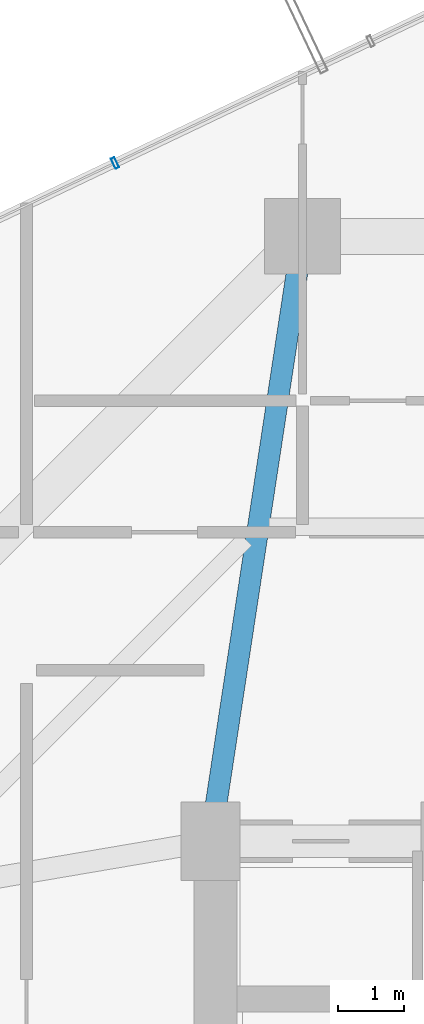
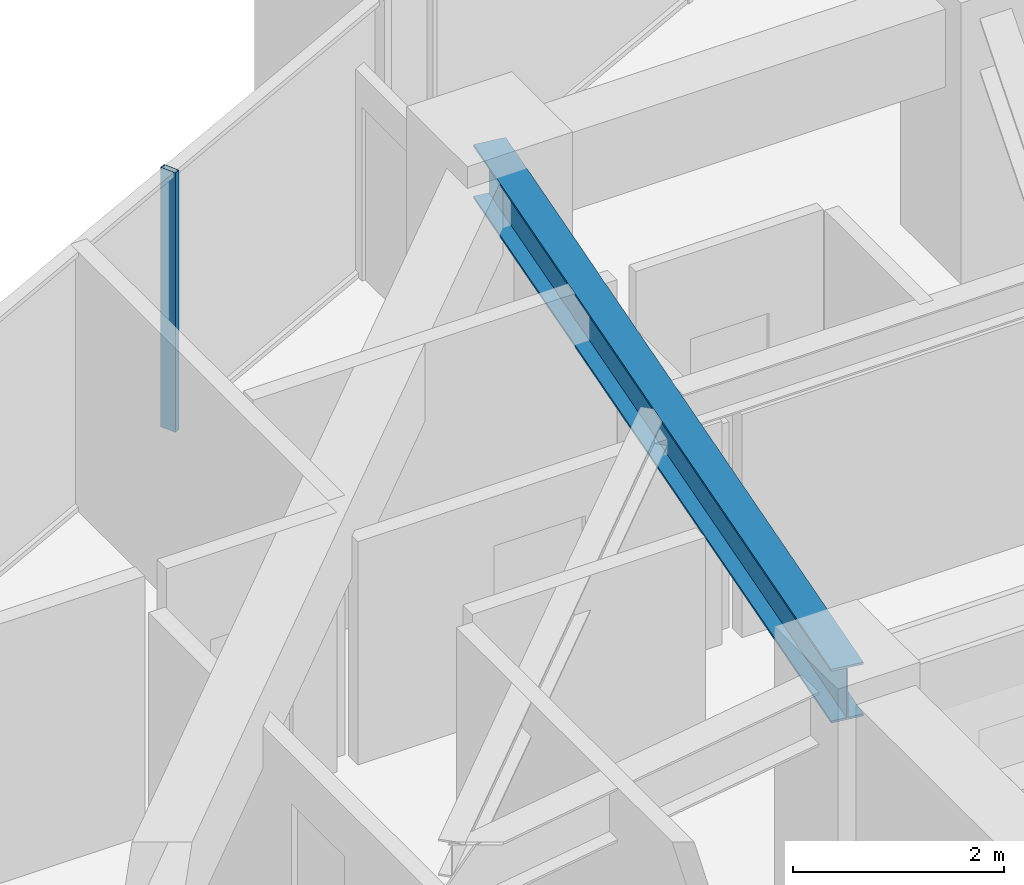
# One storey, part 17 of 30: 1 beam, 1 member, 1 element without a shape of its own.
"""IFC4 building model written with IfcOpenShell, lengths in metres."""

from ifc_helpers import new_model, si_unit, direction, frame, origin, origin_2d, place, context, subcontext, project, spatial, hollow_rectangle, i_section, extrude, source, transform, mapped, material, layer, layer_set, material_profile, profile_set, type_object, element, aggregate, save


model = new_model("IFC4")

# Units and contexts
model_context = context("Model", 3, precision=1e-05, world=origin(), true_north=direction((0.0, 1.0)))
body_context = subcontext(model_context, "Body", "Model", "MODEL_VIEW")
ifc_project = project(units=[si_unit("LENGTHUNIT", "METRE"), si_unit("AREAUNIT", "SQUARE_METRE"), si_unit("VOLUMEUNIT", "CUBIC_METRE"), si_unit("PLANEANGLEUNIT", "RADIAN"), si_unit("MASSUNIT", "GRAM", prefix="KILO")], contexts=[model_context])

# Site, building, storey
site_placement = place(None, origin())
site = spatial("IfcSite", under=ifc_project, at=site_placement, CompositionType="ELEMENT")
building_placement = place(site_placement, origin())
building = spatial("IfcBuilding", under=site, at=building_placement, Name="Veraguas Prism Commons", CompositionType="ELEMENT")
storey_placement = place(building_placement, frame((0.0, 0.0, 113.25)))
storey = spatial("IfcBuildingStorey", under=building, at=storey_placement, Name="L31", CompositionType="ELEMENT", Elevation=113.25)

# Beam
ifc_material_1 = material(Name="Steel ASTM A992 Grade 50", Category="steel")
ifc_material_profile_1 = material_profile(ifc_material_1, i_section(OverallWidth=0.327880859375, OverallDepth=0.6220703125, WebThickness=0.015380859375, FlangeThickness=0.0244140625, at=origin_2d()), Name="W610X195")
ifc_profile_set_1 = profile_set([ifc_material_profile_1], Name="Steel ASTM A992 Grade 50")
beam_type = type_object("IfcBeamType", Name="Zone 2 Radial Girder W610x195", PredefinedType="BEAM", material=ifc_profile_set_1)
beam_placement = place(storey_placement, frame((18.60009765625, 40.199951171875, 2.68896484375), z_axis=(-0.150458162136, -0.98861637729, 0.0), x_axis=(0.98861637729, -0.150458162136, 0.0)))
element("IfcBeam", 1, at=beam_placement, inside=storey, type_object=beam_type, Name="Radial Floor Girder L31-RD06", PredefinedType="BEAM", context=body_context, shape_type="SweptSolid", body=[
    extrude(i_section(OverallWidth=0.327880859375, OverallDepth=0.6220703125, WebThickness=0.015380859375, FlangeThickness=0.0244140625, at=origin_2d()), origin(), (0.0, 0.0, 1.0), 9.305908203125),
])

# Curtain wall, member
ifc_material_2 = material(Name="Anodised aluminium EN AW-6063 T6", Category="aluminium")
ifc_layer = layer(ifc_material_2, 0.169921875, Name="Unitised Flush Curtain Wall Zone 2", Category="aluminium")
ifc_layer_set = layer_set([ifc_layer], Name="Anodised aluminium EN AW-6063 T6")
curtain_wall_type = type_object("IfcCurtainWallType", Name="Unitised Flush Curtain Wall Zone 2", PredefinedType="NOTDEFINED", material=ifc_layer_set)
curtain_wall_placement = place(storey_placement, origin())
curtain_wall = element("IfcCurtainWall", 2, at=curtain_wall_placement, inside=storey, type_object=curtain_wall_type, Name="Tower Facade Curtain Wall L31-F2", PredefinedType="NOTDEFINED")
ifc_material_profile_2 = material_profile(ifc_material_2, hollow_rectangle(XDim=0.06005859375, YDim=0.169921875, WallThickness=0.00390625, at=origin_2d()), Name="AL60X170X4")
ifc_profile_set_2 = profile_set([ifc_material_profile_2], Name="Anodised aluminium EN AW-6063 T6")
member_type = type_object("IfcMemberType", Name="Curtain Wall Mullion Lower AL 60x170x4", PredefinedType="MULLION", material=ifc_profile_set_2)
shared_shape = source(origin(), body_context, "Body", "SweptSolid", [
    extrude(hollow_rectangle(XDim=0.06005859375, YDim=0.169921875, WallThickness=0.00390625, at=origin_2d()), origin(), (0.0, 0.0, 1.0), 3.0),
])
member_placement = place(storey_placement, frame((15.747802734375, 41.316650390625, 0.0), z_axis=(0.0, 0.0, 1.0), x_axis=(-0.902734004407, -0.430199160025, 0.0)))
member = element("IfcMember", 3, at=member_placement, type_object=member_type, Name="CW-Z2 Mullion 3", PredefinedType="MULLION", context=body_context, shape_type="MappedRepresentation", body=[
    mapped(shared_shape, transform((0.0, 0.0, 0.0), scale=1.0)),
])
aggregate(curtain_wall, [member])

save(model, "model.ifc")
